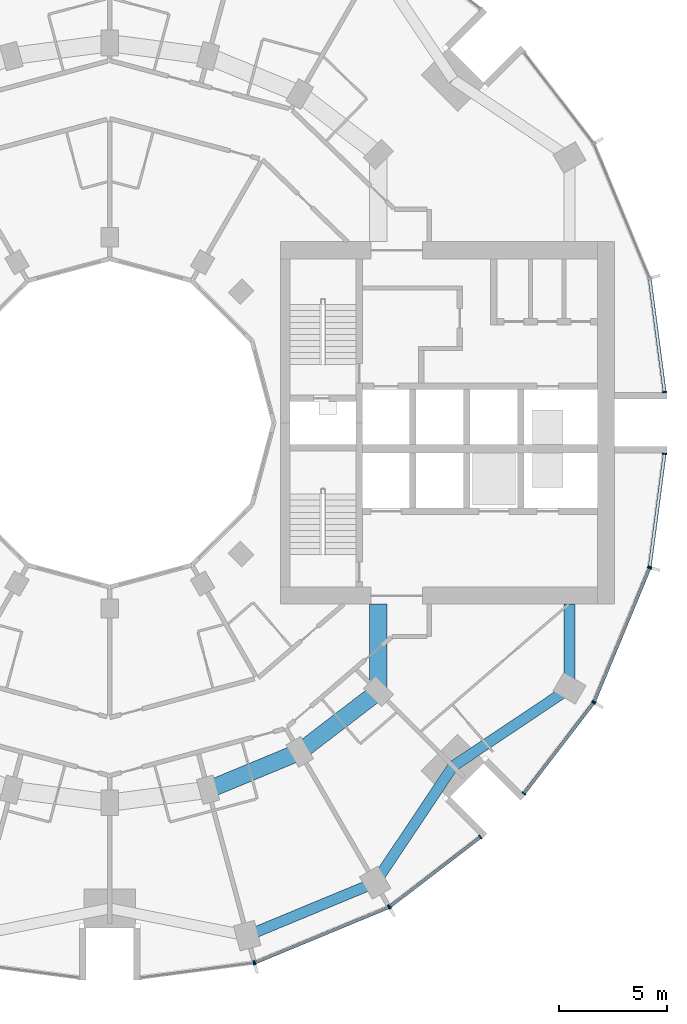
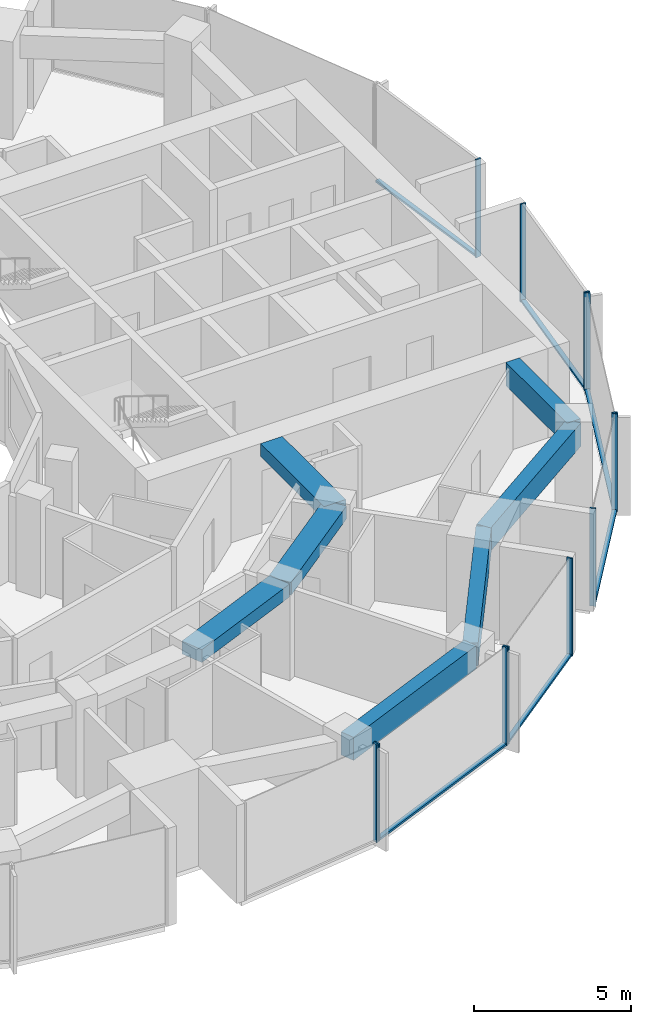
# One storey, part 4 of 15: 18 members, 7 beams, 7 elements without a shape of their own.
"""IFC4 building model written with IfcOpenShell, lengths in metres."""

from ifc_helpers import new_model, si_unit, direction, frame, origin, origin_2d, place, context, subcontext, project, spatial, rectangle, extrude, material, layer, layer_set, material_profile, profile_set, type_object, element, aggregate, save


model = new_model("IFC4")

# Units and contexts
model_context = context("Model", 3, precision=1e-05, world=origin(), true_north=direction((0.0, 1.0)))
body_context = subcontext(model_context, "Body", "Model", "MODEL_VIEW")
ifc_project = project(units=[si_unit("LENGTHUNIT", "METRE"), si_unit("AREAUNIT", "SQUARE_METRE"), si_unit("VOLUMEUNIT", "CUBIC_METRE"), si_unit("PLANEANGLEUNIT", "RADIAN"), si_unit("MASSUNIT", "GRAM", prefix="KILO")], contexts=[model_context])

# Site, building, storey
site_placement = place(None, origin())
site = spatial("IfcSite", under=ifc_project, at=site_placement, CompositionType="ELEMENT")
building_placement = place(site_placement, origin())
building = spatial("IfcBuilding", under=site, at=building_placement, Name="Torre Brocal", CompositionType="ELEMENT")
storey_placement = place(building_placement, frame((0.0, 0.0, 51.60009765625)))
storey = spatial("IfcBuildingStorey", under=building, at=storey_placement, Name="L11", CompositionType="ELEMENT", Elevation=51.60009765625)

# Curtain wall, member
ifc_material_1 = material(Name="Aluminium and glass", Category="aluminium")
ifc_layer_1 = layer(ifc_material_1, 0.199951171875)
ifc_layer_set_1 = layer_set([ifc_layer_1], Name="Aluminium and glass")
curtain_wall_type_1 = type_object("IfcCurtainWallType", Name="CW-1 CURTAIN WALL 3800 HIGH", PredefinedType="NOTDEFINED", material=ifc_layer_set_1)
curtain_wall_1_placement = place(storey_placement, origin())
curtain_wall_1 = element("IfcCurtainWall", 1, at=curtain_wall_1_placement, inside=storey, type_object=curtain_wall_type_1, Name="CW-1 RUN 19", PredefinedType="NOTDEFINED")
ifc_material_2 = material(Name="Aluminium, dark anodised", Category="aluminium")
ifc_material_profile_1 = material_profile(ifc_material_2, rectangle(XDim=0.199951171875, YDim=0.06005859375, at=origin_2d()), Name="CW-1 MULLION 60X200")
ifc_profile_set_1 = profile_set([ifc_material_profile_1], Name="Aluminium, dark anodised")
member_type_1 = type_object("IfcMemberType", Name="CW-1 MULLION 60X200", PredefinedType="MULLION", material=ifc_profile_set_1)
member_1_placement = place(storey_placement, frame((86.67333984375, 49.9794921875, 0.0), z_axis=(0.0, 0.0, 1.0), x_axis=(-0.13052619222, 0.991444861374, 0.0)))
member_1 = element("IfcMember", 2, at=member_1_placement, type_object=member_type_1, Name="CW1-1 mullion 2", PredefinedType="MULLION", context=body_context, shape_type="SweptSolid", body=[
    extrude(rectangle(XDim=0.199951171875, YDim=0.06005859375, at=origin_2d()), origin(), (0.0, 0.0, 1.0), 3.7998046875),
])
aggregate(curtain_wall_1, [member_1])

# Curtain wall, members
curtain_wall_2_placement = place(storey_placement, origin())
curtain_wall_2 = element("IfcCurtainWall", 3, at=curtain_wall_2_placement, inside=storey, type_object=curtain_wall_type_1, Name="CW-1 RUN 20", PredefinedType="NOTDEFINED")
member_2_placement = place(storey_placement, frame((86.73095703125, 49.994873046875, 0.0), z_axis=(0.0, 0.0, 1.0), x_axis=(-0.382683432333, 0.923879532525, 0.0)))
member_2 = element("IfcMember", 4, at=member_2_placement, type_object=member_type_1, Name="CW1-1 mullion 1", PredefinedType="MULLION", context=body_context, shape_type="SweptSolid", body=[
    extrude(rectangle(XDim=0.199951171875, YDim=0.06005859375, at=origin_2d()), origin(), (0.0, 0.0, 1.0), 3.7998046875),
])
member_3_placement = place(storey_placement, frame((92.921875, 52.559326171875, 0.0), z_axis=(0.0, 0.0, 1.0), x_axis=(-0.382683432333, 0.923879532525, 0.0)))
member_3 = element("IfcMember", 5, at=member_3_placement, type_object=member_type_1, Name="CW1-1 mullion 2", PredefinedType="MULLION", context=body_context, shape_type="SweptSolid", body=[
    extrude(rectangle(XDim=0.199951171875, YDim=0.06005859375, at=origin_2d()), origin(), (0.0, 0.0, 1.0), 3.7998046875),
])

curtain_wall_3_placement = place(storey_placement, origin())
curtain_wall_3 = element("IfcCurtainWall", 6, at=curtain_wall_3_placement, inside=storey, type_object=curtain_wall_type_1, Name="CW-1 RUN 21", PredefinedType="NOTDEFINED")
member_4_placement = place(storey_placement, frame((92.973388671875, 52.5888671875, 0.0), z_axis=(0.0, 0.0, 1.0), x_axis=(-0.60876142905, 0.793353340259, 0.0)))
member_4 = element("IfcMember", 7, at=member_4_placement, type_object=member_type_1, Name="CW1-1 mullion 1", PredefinedType="MULLION", context=body_context, shape_type="SweptSolid", body=[
    extrude(rectangle(XDim=0.199951171875, YDim=0.06005859375, at=origin_2d()), origin(), (0.0, 0.0, 1.0), 3.7998046875),
])
member_5_placement = place(storey_placement, frame((97.16943359375, 55.80859375, 0.0), z_axis=(0.0, 0.0, 1.0), x_axis=(-0.60876142905, 0.793353340259, 0.0)))
member_5 = element("IfcMember", 8, at=member_5_placement, type_object=member_type_1, Name="CW1-1 mullion 2", PredefinedType="MULLION", context=body_context, shape_type="SweptSolid", body=[
    extrude(rectangle(XDim=0.199951171875, YDim=0.06005859375, at=origin_2d()), origin(), (0.0, 0.0, 1.0), 3.7998046875),
])

curtain_wall_4_placement = place(storey_placement, origin())
curtain_wall_4 = element("IfcCurtainWall", 9, at=curtain_wall_4_placement, inside=storey, type_object=curtain_wall_type_1, Name="CW-1 RUN 22", PredefinedType="NOTDEFINED")
member_6_placement = place(storey_placement, frame((99.19140625, 57.83056640625, 0.0), z_axis=(0.0, 0.0, 1.0), x_axis=(-0.793353340259, 0.60876142905, 0.0)))
member_6 = element("IfcMember", 10, at=member_6_placement, type_object=member_type_1, Name="CW1-1 mullion 1", PredefinedType="MULLION", context=body_context, shape_type="SweptSolid", body=[
    extrude(rectangle(XDim=0.199951171875, YDim=0.06005859375, at=origin_2d()), origin(), (0.0, 0.0, 1.0), 3.7998046875),
])
member_7_placement = place(storey_placement, frame((102.4111328125, 62.026611328125, 0.0), z_axis=(0.0, 0.0, 1.0), x_axis=(-0.793353340259, 0.60876142905, 0.0)))
member_7 = element("IfcMember", 11, at=member_7_placement, type_object=member_type_1, Name="CW1-1 mullion 2", PredefinedType="MULLION", context=body_context, shape_type="SweptSolid", body=[
    extrude(rectangle(XDim=0.199951171875, YDim=0.06005859375, at=origin_2d()), origin(), (0.0, 0.0, 1.0), 3.7998046875),
])

curtain_wall_5_placement = place(storey_placement, origin())
curtain_wall_5 = element("IfcCurtainWall", 12, at=curtain_wall_5_placement, inside=storey, type_object=curtain_wall_type_1, Name="CW-1 RUN 23", PredefinedType="NOTDEFINED")
member_8_placement = place(storey_placement, frame((102.440673828125, 62.078125, 0.0), z_axis=(0.0, 0.0, 1.0), x_axis=(-0.923879532525, 0.382683432333, 0.0)))
member_8 = element("IfcMember", 13, at=member_8_placement, type_object=member_type_1, Name="CW1-1 mullion 1", PredefinedType="MULLION", context=body_context, shape_type="SweptSolid", body=[
    extrude(rectangle(XDim=0.199951171875, YDim=0.06005859375, at=origin_2d()), origin(), (0.0, 0.0, 1.0), 3.7998046875),
])
member_9_placement = place(storey_placement, frame((105.005126953125, 68.26904296875, 0.0), z_axis=(0.0, 0.0, 1.0), x_axis=(-0.923879532525, 0.382683432333, 0.0)))
member_9 = element("IfcMember", 14, at=member_9_placement, type_object=member_type_1, Name="CW1-1 mullion 2", PredefinedType="MULLION", context=body_context, shape_type="SweptSolid", body=[
    extrude(rectangle(XDim=0.199951171875, YDim=0.06005859375, at=origin_2d()), origin(), (0.0, 0.0, 1.0), 3.7998046875),
])

# Member
ifc_material_3 = material(Name="Aluminium, dark anodised", Category="aluminium")
ifc_material_profile_2 = material_profile(ifc_material_3, rectangle(XDim=0.159912109375, YDim=0.080078125, at=origin_2d()), Name="CW-1 TRANSOM 160X80")
ifc_profile_set_2 = profile_set([ifc_material_profile_2], Name="Aluminium, dark anodised")
member_type_2 = type_object("IfcMemberType", Name="CW-1 TRANSOM 160X80", PredefinedType="USERDEFINED", material=ifc_profile_set_2)
member_10_placement = place(storey_placement, frame((86.758544921875, 50.00634765625, 0.039794921875), z_axis=(0.923887344364, 0.38266457234, 0.0), x_axis=(-0.38266457234, 0.923887344364, 0.0)))
member_10 = element("IfcMember", 15, at=member_10_placement, type_object=member_type_2, Name="CW1-1 transom 1.1", ObjectType="TRANSOM", PredefinedType="USERDEFINED", context=body_context, shape_type="SweptSolid", body=[
    extrude(rectangle(XDim=0.159912109375, YDim=0.080078125, at=origin_2d()), origin(), (0.0, 0.0, 1.0), 6.640869140625),
])

aggregate(curtain_wall_2, [member_2, member_3, member_10])

member_11_placement = place(storey_placement, frame((92.9970703125, 52.607177734375, 0.039794921875), z_axis=(0.79336281513, 0.60874908096, 0.0), x_axis=(-0.60874908096, 0.79336281513, 0.0)))
member_11 = element("IfcMember", 16, at=member_11_placement, type_object=member_type_2, Name="CW1-1 transom 1.1", ObjectType="TRANSOM", PredefinedType="USERDEFINED", context=body_context, shape_type="SweptSolid", body=[
    extrude(rectangle(XDim=0.159912109375, YDim=0.080078125, at=origin_2d()), origin(), (0.0, 0.0, 1.0), 5.22900390625),
])

aggregate(curtain_wall_3, [member_4, member_5, member_11])

member_12_placement = place(storey_placement, frame((99.209716796875, 57.8544921875, 0.039794921875), z_axis=(0.60874908096, 0.79336281513, 0.0), x_axis=(-0.79336281513, 0.60874908096, 0.0)))
member_12 = element("IfcMember", 17, at=member_12_placement, type_object=member_type_2, Name="CW1-1 transom 1.1", ObjectType="TRANSOM", PredefinedType="USERDEFINED", context=body_context, shape_type="SweptSolid", body=[
    extrude(rectangle(XDim=0.159912109375, YDim=0.080078125, at=origin_2d()), origin(), (0.0, 0.0, 1.0), 5.22900390625),
])

aggregate(curtain_wall_4, [member_6, member_7, member_12])

member_13_placement = place(storey_placement, frame((102.452392578125, 62.10595703125, 0.039794921875), z_axis=(0.38266457234, 0.923887344364, 0.0), x_axis=(-0.923887344364, 0.38266457234, 0.0)))
member_13 = element("IfcMember", 18, at=member_13_placement, type_object=member_type_2, Name="CW1-1 transom 1.1", ObjectType="TRANSOM", PredefinedType="USERDEFINED", context=body_context, shape_type="SweptSolid", body=[
    extrude(rectangle(XDim=0.159912109375, YDim=0.080078125, at=origin_2d()), origin(), (0.0, 0.0, 1.0), 6.640869140625),
])

aggregate(curtain_wall_5, [member_8, member_9, member_13])

# Curtain wall, member
ifc_material_4 = material(Name="Aluminium and glass", Category="aluminium")
ifc_layer_2 = layer(ifc_material_4, 0.199951171875)
ifc_layer_set_2 = layer_set([ifc_layer_2], Name="Aluminium and glass")
curtain_wall_type_2 = type_object("IfcCurtainWallType", Name="CW-1B CURTAIN WALL 3800 HIGH", PredefinedType="NOTDEFINED", material=ifc_layer_set_2)
curtain_wall_6_placement = place(storey_placement, origin())
curtain_wall_6 = element("IfcCurtainWall", 19, at=curtain_wall_6_placement, inside=storey, type_object=curtain_wall_type_2, Name="CW-1B RUN 1", PredefinedType="NOTDEFINED")
ifc_material_5 = material(Name="Aluminium, dark anodised", Category="aluminium")
ifc_material_profile_3 = material_profile(ifc_material_5, rectangle(XDim=0.199951171875, YDim=0.06005859375, at=origin_2d()), Name="CW-1B MULLION 60X200")
ifc_profile_set_3 = profile_set([ifc_material_profile_3], Name="Aluminium, dark anodised")
member_type_3 = type_object("IfcMemberType", Name="CW-1B MULLION 60X200", PredefinedType="MULLION", material=ifc_profile_set_3)
member_14_placement = place(storey_placement, frame((105.7109375, 76.4296875, 0.0), z_axis=(0.0, 0.0, 1.0), x_axis=(-0.991444861374, -0.13052619222, 0.0)))
member_14 = element("IfcMember", 20, at=member_14_placement, type_object=member_type_3, Name="CW1B-1 mullion 1", PredefinedType="MULLION", context=body_context, shape_type="SweptSolid", body=[
    extrude(rectangle(XDim=0.199951171875, YDim=0.06005859375, at=origin_2d()), origin(), (0.0, 0.0, 1.0), 3.7998046875),
])

# Curtain wall, members
curtain_wall_7_placement = place(storey_placement, origin())
curtain_wall_7 = element("IfcCurtainWall", 21, at=curtain_wall_7_placement, inside=storey, type_object=curtain_wall_type_2, Name="CW-1B RUN 24", PredefinedType="NOTDEFINED")
member_15_placement = place(storey_placement, frame((105.0205078125, 68.32666015625, 0.0), z_axis=(0.0, 0.0, 1.0), x_axis=(-0.991444861374, 0.13052619222, 0.0)))
member_15 = element("IfcMember", 22, at=member_15_placement, type_object=member_type_3, Name="CW1B-1 mullion 1", PredefinedType="MULLION", context=body_context, shape_type="SweptSolid", body=[
    extrude(rectangle(XDim=0.199951171875, YDim=0.06005859375, at=origin_2d()), origin(), (0.0, 0.0, 1.0), 3.7998046875),
])
member_16_placement = place(storey_placement, frame((105.7109375, 73.5703125, 0.0), z_axis=(0.0, 0.0, 1.0), x_axis=(-0.991444861374, 0.13052619222, 0.0)))
member_16 = element("IfcMember", 23, at=member_16_placement, type_object=member_type_3, Name="CW1B-1 mullion 2", PredefinedType="MULLION", context=body_context, shape_type="SweptSolid", body=[
    extrude(rectangle(XDim=0.199951171875, YDim=0.06005859375, at=origin_2d()), origin(), (0.0, 0.0, 1.0), 3.7998046875),
])

# Member
ifc_material_6 = material(Name="Aluminium, dark anodised", Category="aluminium")
ifc_material_profile_4 = material_profile(ifc_material_6, rectangle(XDim=0.159912109375, YDim=0.080078125, at=origin_2d()), Name="CW-1B TRANSOM 160X80")
ifc_profile_set_4 = profile_set([ifc_material_profile_4], Name="Aluminium, dark anodised")
member_type_4 = type_object("IfcMemberType", Name="CW-1B TRANSOM 160X80", PredefinedType="USERDEFINED", material=ifc_profile_set_4)
member_17_placement = place(storey_placement, frame((105.70703125, 76.45947265625, 0.039794921875), z_axis=(-0.130542677827, 0.991442690863, 0.0), x_axis=(-0.991442690863, -0.130542677827, 0.0)))
member_17 = element("IfcMember", 24, at=member_17_placement, type_object=member_type_4, Name="CW1B-1 transom 1.1", ObjectType="TRANSOM", PredefinedType="USERDEFINED", context=body_context, shape_type="SweptSolid", body=[
    extrude(rectangle(XDim=0.159912109375, YDim=0.080078125, at=origin_2d()), origin(), (0.0, 0.0, 1.0), 5.22900390625),
])

aggregate(curtain_wall_6, [member_14, member_17])

member_18_placement = place(storey_placement, frame((105.0244140625, 68.356201171875, 0.039794921875), z_axis=(0.130542677827, 0.991442690863, 0.0), x_axis=(-0.991442690863, 0.130542677827, 0.0)))
member_18 = element("IfcMember", 25, at=member_18_placement, type_object=member_type_4, Name="CW1B-1 transom 1.1", ObjectType="TRANSOM", PredefinedType="USERDEFINED", context=body_context, shape_type="SweptSolid", body=[
    extrude(rectangle(XDim=0.159912109375, YDim=0.080078125, at=origin_2d()), origin(), (0.0, 0.0, 1.0), 5.22900390625),
])

aggregate(curtain_wall_7, [member_15, member_16, member_18])

# Beams
ifc_material_7 = material(Name="Concrete C50", Category="concrete")
ifc_material_profile_5 = material_profile(ifc_material_7, rectangle(XDim=0.800048828125, YDim=0.5, at=origin_2d()), Name="RC 800X500")
ifc_profile_set_5 = profile_set([ifc_material_profile_5], Name="Concrete C50")
beam_type_1 = type_object("IfcBeamType", Name="RC BEAM 800X500 C50 TOP 3480", PredefinedType="BEAM", material=ifc_profile_set_5)
beam_1_placement = place(storey_placement, frame((84.55517578125, 57.999755859375, 3.22998046875), z_axis=(0.923878240166, 0.382686552348, 0.0), x_axis=(-0.382686552348, 0.923878240166, 0.0)))
element("IfcBeam", 26, at=beam_1_placement, inside=storey, type_object=beam_type_1, Name="Beam BT-19", PredefinedType="BEAM", context=body_context, shape_type="SweptSolid", body=[
    extrude(rectangle(XDim=0.800048828125, YDim=0.5, at=origin_2d()), origin(), (0.0, 0.0, 1.0), 4.5947265625),
])
beam_2_placement = place(storey_placement, frame((88.800048828125, 59.758056640625, 3.22998046875), z_axis=(0.793358265959, 0.6087550097, 0.0), x_axis=(-0.6087550097, 0.793358265959, 0.0)))
element("IfcBeam", 27, at=beam_2_placement, inside=storey, type_object=beam_type_1, Name="Beam BT-19", PredefinedType="BEAM", context=body_context, shape_type="SweptSolid", body=[
    extrude(rectangle(XDim=0.800048828125, YDim=0.5, at=origin_2d()), origin(), (0.0, 0.0, 1.0), 4.594482421875),
])
beam_3_placement = place(storey_placement, frame((92.445068359375, 62.554931640625, 3.22998046875), z_axis=(0.0, 1.0, 0.0), x_axis=(-1.0, 0.0, 0.0)))
element("IfcBeam", 28, at=beam_3_placement, inside=storey, type_object=beam_type_1, Name="Beam BT-19", PredefinedType="BEAM", context=body_context, shape_type="SweptSolid", body=[
    extrude(rectangle(XDim=0.800048828125, YDim=0.5, at=origin_2d()), origin(), (0.0, 0.0, 1.0), 4.045166015625),
])
ifc_material_8 = material(Name="Concrete C50", Category="concrete")
ifc_material_profile_6 = material_profile(ifc_material_8, rectangle(XDim=0.5, YDim=0.89990234375, at=origin_2d()), Name="RC 500X900")
ifc_profile_set_6 = profile_set([ifc_material_profile_6], Name="Concrete C50")
beam_type_2 = type_object("IfcBeamType", Name="RC SPANDREL BEAM 500X900 C50 TOP 3480", PredefinedType="SPANDREL", material=ifc_profile_set_6)
beam_4_placement = place(storey_placement, frame((86.366943359375, 51.23828125, 3.02978515625), z_axis=(0.923882462513, 0.382676358639, 0.0), x_axis=(-0.382676358639, 0.923882462513, 0.0)))
element("IfcBeam", 29, at=beam_4_placement, inside=storey, type_object=beam_type_2, Name="Beam BT-20", PredefinedType="SPANDREL", context=body_context, shape_type="SweptSolid", body=[
    extrude(rectangle(XDim=0.5, YDim=0.89990234375, at=origin_2d()), origin(), (0.0, 0.0, 1.0), 6.421875),
])
for number, where, z_axis, x_axis, name in (
    (30, (92.300048828125, 53.69580078125, 3.02978515625), (0.556157602282, 0.831076844476, 0.0), (-0.831076844476, 0.556157602282, 0.0), "Beam BT-20"),
    (31, (95.909912109375, 59.090087890625, 3.02978515625), (0.831076844476, 0.556157602282, 0.0), (-0.556157602282, 0.831076844476, 0.0), "Beam BT-20"),
):
    element("IfcBeam", number, at=place(storey_placement, frame(where, z_axis=z_axis, x_axis=x_axis)), inside=storey, type_object=beam_type_2, Name=name, PredefinedType="SPANDREL", context=body_context, shape_type="SweptSolid", body=[
        extrude(rectangle(XDim=0.5, YDim=0.89990234375, at=origin_2d()), origin(), (0.0, 0.0, 1.0), 6.49072265625),
    ])
beam_5_placement = place(storey_placement, frame((101.30419921875, 62.699951171875, 3.02978515625), z_axis=(0.0, 1.0, 0.0), x_axis=(-1.0, 0.0, 0.0)))
element("IfcBeam", 32, at=beam_5_placement, inside=storey, type_object=beam_type_2, Name="Beam BT-20", PredefinedType="SPANDREL", context=body_context, shape_type="SweptSolid", body=[
    extrude(rectangle(XDim=0.5, YDim=0.89990234375, at=origin_2d()), origin(), (0.0, 0.0, 1.0), 3.900146484375),
])

save(model, "model.ifc")
